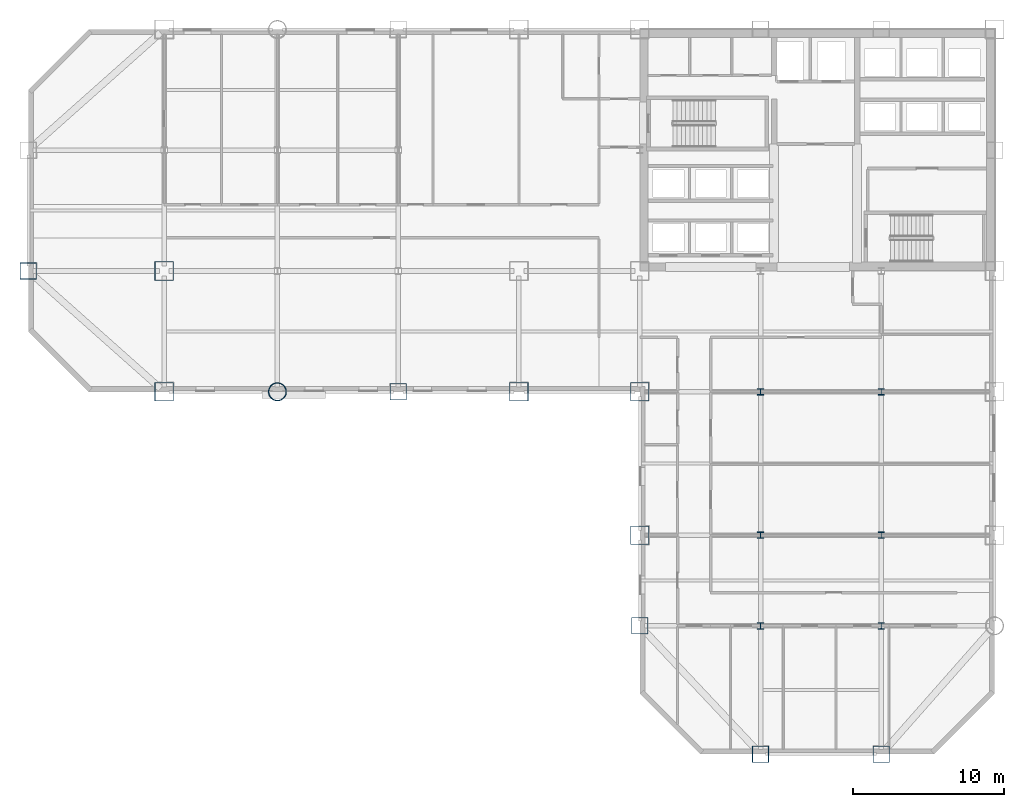
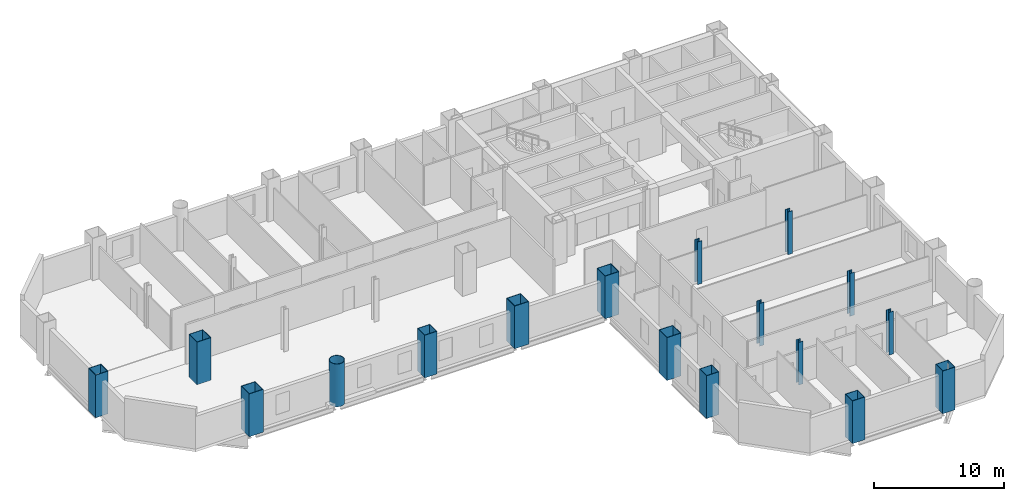
# One storey, part 1 of 9: 17 columns.
"""IFC4 building model written with IfcOpenShell, lengths in metres."""

import ifcopenshell
import ifcopenshell.guid

model = None  # the IFC model being written
_history = None  # IfcOwnerHistory: only IFC2X3 demands one
_inside = {}  # id of a spatial element -> (the spatial element, [elements in it])
_under = {}  # id of a project, library or spatial element -> (it, [spatial elements below it])
_declared = {}  # id of a project -> (the project, [libraries it declares])
_typed = {}  # id of a type object -> (the type object, [elements of that type])
_made_of = {}  # id of a material, layer set ... -> (it, [elements and type objects made of it])


def new_model(schema):
    """Start an empty IFC model of exactly this schema.

    Asked for "IFC4X3", IfcOpenShell would pick the latest addendum, in which some entities
    have other attributes; the version numbers below select the first issue.
    IFC2X3 requires an IfcOwnerHistory on every rooted entity: one is made here for all.
    """
    global model, _history
    if schema == "IFC4X3":
        model = ifcopenshell.file(schema_version=(4, 3, 0, 0))
    else:
        model = ifcopenshell.file(schema=schema)
    _inside.clear()
    _under.clear()
    _declared.clear()
    _typed.clear()
    _made_of.clear()
    _history = None
    if model.schema == "IFC2X3":
        org = make("IfcOrganization", Name="unknown")
        user = make(
            "IfcPersonAndOrganization",
            ThePerson=make("IfcPerson", FamilyName="unknown"),
            TheOrganization=org,
        )
        app = make(
            "IfcApplication",
            ApplicationDeveloper=org,
            Version="unknown",
            ApplicationFullName="unknown",
            ApplicationIdentifier="unknown",
        )
        _history = make(
            "IfcOwnerHistory",
            OwningUser=user,
            OwningApplication=app,
            ChangeAction="ADDED",
            CreationDate=0,
        )
    return model


def make(cls, **values):
    """One entity of the class cls with the attributes given. An attribute that is None is left unset."""
    return model.create_entity(
        cls, **{name: value for name, value in values.items() if value is not None}
    )


def rooted(cls, **values):
    """An entity with a GlobalId (a new one), such as an element, a storey or a relation."""
    return make(cls, GlobalId=ifcopenshell.guid.new(), OwnerHistory=_history, **values)


def si_unit(unit_type, name, prefix=None):
    """IfcSIUnit, for example si_unit("LENGTHUNIT", "METRE", prefix="MILLI")."""
    return make("IfcSIUnit", UnitType=unit_type, Prefix=prefix, Name=name)


def assignment(units):
    """IfcUnitAssignment: the units of a project."""
    return None if units is None else make("IfcUnitAssignment", Units=units)


def point(xyz):
    """IfcCartesianPoint."""
    return None if xyz is None else make("IfcCartesianPoint", Coordinates=xyz)


def direction(xyz):
    """IfcDirection."""
    return None if xyz is None else make("IfcDirection", DirectionRatios=xyz)


def frame(location, z_axis=None, x_axis=None):
    """IfcAxis2Placement3D, a coordinate frame: its origin and axes. An axis left out is left unset."""
    return make(
        "IfcAxis2Placement3D",
        Location=point(location),
        Axis=direction(z_axis),
        RefDirection=direction(x_axis),
    )


def frame_2d(location, x_axis=None):
    """IfcAxis2Placement2D, a coordinate frame in the plane: its origin and x axis."""
    return make(
        "IfcAxis2Placement2D", Location=point(location), RefDirection=direction(x_axis)
    )


def origin():
    """The frame at (0, 0, 0) with its axes left unset."""
    return frame((0.0, 0.0, 0.0))


def origin_2d():
    """The frame at (0, 0) in the plane with its x axis left unset."""
    return frame_2d((0.0, 0.0))


def place(relative_to, where):
    """IfcLocalPlacement: puts the frame where relative to a parent placement (None: the world)."""
    return make(
        "IfcLocalPlacement", PlacementRelTo=relative_to, RelativePlacement=where
    )


def context(
    kind, dimensions, precision=None, world=None, true_north=None, identifier=None
):
    """IfcGeometricRepresentationContext, for example the 3D "Model" context."""
    return make(
        "IfcGeometricRepresentationContext",
        ContextIdentifier=identifier,
        ContextType=kind,
        CoordinateSpaceDimension=dimensions,
        Precision=precision,
        WorldCoordinateSystem=world,
        TrueNorth=true_north,
    )


def subcontext(parent, identifier, kind, view, scale=None):
    """IfcGeometricRepresentationSubContext, for example "Body" below "Model"."""
    return make(
        "IfcGeometricRepresentationSubContext",
        ContextIdentifier=identifier,
        ContextType=kind,
        ParentContext=parent,
        TargetScale=scale,
        TargetView=view,
    )


def project(units=None, contexts=None):
    """IfcProject with its units and contexts."""
    return rooted(
        "IfcProject",
        Name="project",
        RepresentationContexts=contexts,
        UnitsInContext=assignment(units),
    )


def spatial(cls, under=None, at=None, **own):
    """A site, building, storey or space (cls), placed at a placement, below another one or the project."""
    s = rooted(cls, ObjectPlacement=at, **own)
    if under is not None:
        _under.setdefault(under.id(), (under, []))[1].append(s)
    return s


def profile(cls, at=None, kind="AREA", **sizes):
    """A parametric profile (cls). Its sizes go by their IFC names, for example OverallWidth=200.0."""
    return make(cls, ProfileType=kind, Position=at, **sizes)


def hollow_rectangle(**sizes):
    """IfcRectangleHollowProfileDef."""
    return profile("IfcRectangleHollowProfileDef", **sizes)


def hollow_circle(**sizes):
    """IfcCircleHollowProfileDef."""
    return profile("IfcCircleHollowProfileDef", **sizes)


def i_section(**sizes):
    """IfcIShapeProfileDef."""
    return profile("IfcIShapeProfileDef", **sizes)


def extrude(swept, where, along, depth):
    """IfcExtrudedAreaSolid: the profile swept, set in the frame where, extruded along a direction by depth."""
    return make(
        "IfcExtrudedAreaSolid",
        SweptArea=swept,
        Position=where,
        ExtrudedDirection=direction(along),
        Depth=depth,
    )


def shape(context_of_items, identifier, shape_type, items):
    """IfcShapeRepresentation: the items that make up one representation, for example the "Body"."""
    return make(
        "IfcShapeRepresentation",
        ContextOfItems=context_of_items,
        RepresentationIdentifier=identifier,
        RepresentationType=shape_type,
        Items=items,
    )


def material(Name=None, Category=None):
    """IfcMaterial."""
    return make("IfcMaterial", Name=Name, Category=Category)


def material_profile(
    of_material, cross_section, Name=None, Category=None, Priority=None
):
    """IfcMaterialProfile: a cross section and its material."""
    return make(
        "IfcMaterialProfile",
        Name=Name,
        Material=of_material,
        Profile=cross_section,
        Priority=Priority,
        Category=Category,
    )


def profile_set(profiles, Name=None, composite=None):
    """IfcMaterialProfileSet."""
    return make(
        "IfcMaterialProfileSet",
        Name=Name,
        MaterialProfiles=profiles,
        CompositeProfile=composite,
    )


def made_of(thing, what):
    """Note that an element or type object is made of a material, layer set ...; save() writes the relation."""
    if what is not None:
        _made_of.setdefault(what.id(), (what, []))[1].append(thing)
    return thing


def type_object(cls, material=None, **own):
    """A type object (cls), such as IfcWallType, which elements share."""
    return made_of(rooted(cls, **own), material)


def element(
    cls,
    number,
    at=None,
    inside=None,
    cuts=None,
    type_object=None,
    material=None,
    context=None,
    identifier="Body",
    shape_type=None,
    held_by="IfcProductDefinitionShape",
    body=None,
    shapes=None,
    **own,
):
    """One element of the class cls, such as IfcWall. Its Tag is "e" and its number.

    at: its placement. inside: the storey or other place that contains it. cuts: it is an
    opening in that element (IfcRelVoidsElement). A single representation is given by context,
    identifier, shape_type and body (its items); several are given by shapes. held_by: the class
    of the entity that holds the representations. save() writes the other relations.
    """
    e = rooted(cls, Tag="e%d" % number, ObjectPlacement=at, **own)
    if body is not None:
        shapes = [shape(context, identifier, shape_type, body)]
    if shapes is not None:
        e.Representation = make(held_by, Representations=shapes)
    if inside is not None:
        _inside.setdefault(inside.id(), (inside, []))[1].append(e)
    if cuts is not None:
        rooted(
            "IfcRelVoidsElement", RelatingBuildingElement=cuts, RelatedOpeningElement=e
        )
    if type_object is not None:
        _typed.setdefault(type_object.id(), (type_object, []))[1].append(e)
    return made_of(e, material)


def aggregate(whole, parts):
    """IfcRelAggregates: a whole, such as a stair, and the parts it consists of."""
    return rooted("IfcRelAggregates", RelatingObject=whole, RelatedObjects=parts)


def save(model, path):
    """Write the relations noted so far, then the file.

    IfcRelAggregates (storeys below a building ...), IfcRelContainedInSpatialStructure (elements
    in a storey), IfcRelDefinesByType, IfcRelAssociatesMaterial and IfcRelDeclares: one each for
    every whole, place, type object, material and project.
    """
    for whole, parts in _under.values():
        aggregate(whole, parts)
    for where, things in _inside.values():
        rooted(
            "IfcRelContainedInSpatialStructure",
            RelatedElements=things,
            RelatingStructure=where,
        )
    for kind, things in _typed.values():
        rooted("IfcRelDefinesByType", RelatedObjects=things, RelatingType=kind)
    for what, things in _made_of.values():
        rooted("IfcRelAssociatesMaterial", RelatedObjects=things, RelatingMaterial=what)
    for by, libraries in _declared.values():
        rooted("IfcRelDeclares", RelatingContext=by, RelatedDefinitions=libraries)
    model.write(path)


model = new_model("IFC4")

# Units and contexts
model_context = context("Model", 3, precision=1e-05, world=origin(), true_north=direction((0.0, 1.0)))
body_context = subcontext(model_context, "Body", "Model", "MODEL_VIEW")
ifc_project = project(units=[si_unit("LENGTHUNIT", "METRE"), si_unit("AREAUNIT", "SQUARE_METRE"), si_unit("VOLUMEUNIT", "CUBIC_METRE"), si_unit("PLANEANGLEUNIT", "RADIAN"), si_unit("MASSUNIT", "GRAM", prefix="KILO")], contexts=[model_context])

# Site, building, storey
site_placement = place(None, origin())
site = spatial("IfcSite", under=ifc_project, at=site_placement, CompositionType="ELEMENT")
building_placement = place(site_placement, origin())
building = spatial("IfcBuilding", under=site, at=building_placement, Name="Qianrong Seaharbour Tower", CompositionType="ELEMENT")
storey_placement = place(building_placement, frame((0.0, 0.0, 40.199951171875)))
storey = spatial("IfcBuildingStorey", under=building, at=storey_placement, Name="L09", CompositionType="ELEMENT", Elevation=40.199951171875)

# Columns
ifc_material = material(Name="Structural steel SN490B", Category="steel")
ifc_material_profile_1 = material_profile(ifc_material, hollow_rectangle(XDim=1.25, YDim=1.25, WallThickness=0.044921875, at=origin_2d()), Name="BOX1250x1250x45")
ifc_profile_set_1 = profile_set([ifc_material_profile_1], Name="Structural steel SN490B")
column_type_1 = type_object("IfcColumnType", Name="COL-CFT-1250", PredefinedType="COLUMN", material=ifc_profile_set_1)
for number, where, z_axis, x_axis, name in (
    (1, (9.0, 28.0, 0.0), (0.0, 0.0, 1.0), (1.0, 0.0, 0.0), "L09 Column MC-2 at G2/GE"),
    (2, (9.0, 36.0, 0.0), (0.0, 0.0, 1.0), (1.0, 0.0, 0.0), "L09 Column MC-2 at G2/GF"),
    (3, (32.5, 28.0, 0.0), (0.0, 0.0, 1.0), (1.0, 0.0, 0.0), "L09 Column MC-2 at G5/GE"),
    (4, (40.5, 18.5, 0.0), (0.0, 0.0, 1.0), (1.0, 0.0, 0.0), "L09 Column MC-2 at G6/GD"),
    (5, (40.5, 28.0, 0.0), (0.0, 0.0, 1.0), (1.0, 0.0, 0.0), "L09 Column MC-2 at G6/GE"),
):
    element("IfcColumn", number, at=place(storey_placement, frame(where, z_axis=z_axis, x_axis=x_axis)), inside=storey, type_object=column_type_1, Name=name, PredefinedType="COLUMN", context=body_context, shape_type="SweptSolid", body=[
        extrude(hollow_rectangle(XDim=1.25, YDim=1.25, WallThickness=0.044921875, at=origin_2d()), origin(), (0.0, 0.0, 1.0), 4.0),
    ])
ifc_material_profile_2 = material_profile(ifc_material, hollow_circle(Radius=0.60009765625, WallThickness=0.0400390625, at=origin_2d()), Name="CHS1200x40")
ifc_profile_set_2 = profile_set([ifc_material_profile_2], Name="Structural steel SN490B")
column_type_2 = type_object("IfcColumnType", Name="COL-CHS-1200", PredefinedType="COLUMN", material=ifc_profile_set_2)
column_placement = place(storey_placement, frame((16.5, 28.0, 0.0), z_axis=(0.0, 0.0, 1.0), x_axis=(1.0, 0.0, 0.0)))
element("IfcColumn", 6, at=column_placement, inside=storey, type_object=column_type_2, Name="L09 Column CC-1 at G3/GE", PredefinedType="COLUMN", context=body_context, shape_type="SweptSolid", body=[
    extrude(hollow_circle(Radius=0.60009765625, WallThickness=0.0400390625, at=origin_2d()), origin(), (0.0, 0.0, 1.0), 4.0),
])
ifc_material_profile_3 = material_profile(ifc_material, i_section(OverallWidth=0.406982421875, OverallDepth=0.427978515625, WebThickness=0.02001953125, FlangeThickness=0.034912109375, FilletRadius=0.02197265625, at=origin_2d()), Name="H428x407x20x35")
ifc_profile_set_3 = profile_set([ifc_material_profile_3], Name="Structural steel SN490B")
column_type_3 = type_object("IfcColumnType", Name="COL-INT-H428", PredefinedType="COLUMN", material=ifc_profile_set_3)
for number, where, z_axis, x_axis, name in (
    (7, (48.5, 12.5, 0.0), (0.0, 0.0, 1.0), (1.0, 0.0, 0.0), "L09 Column IC-2 at G7/GC"),
    (8, (48.5, 18.5, 0.0), (0.0, 0.0, 1.0), (1.0, 0.0, 0.0), "L09 Column IC-2 at G7/GD"),
    (9, (48.5, 28.0, 0.0), (0.0, 0.0, 1.0), (1.0, 0.0, 0.0), "L09 Column IC-2 at G7/GE"),
    (10, (56.5, 12.5, 0.0), (0.0, 0.0, 1.0), (1.0, 0.0, 0.0), "L09 Column IC-2 at G8/GC"),
    (11, (56.5, 18.5, 0.0), (0.0, 0.0, 1.0), (1.0, 0.0, 0.0), "L09 Column IC-2 at G8/GD"),
    (12, (56.5, 28.0, 0.0), (0.0, 0.0, 1.0), (1.0, 0.0, 0.0), "L09 Column IC-2 at G8/GE"),
):
    element("IfcColumn", number, at=place(storey_placement, frame(where, z_axis=z_axis, x_axis=x_axis)), inside=storey, type_object=column_type_3, Name=name, PredefinedType="COLUMN", context=body_context, shape_type="SweptSolid", body=[
        extrude(i_section(OverallWidth=0.406982421875, OverallDepth=0.427978515625, WebThickness=0.02001953125, FlangeThickness=0.034912109375, FilletRadius=0.02197265625, at=origin_2d()), origin(), (0.0, 0.0, 1.0), 4.0),
    ])
ifc_material_profile_4 = material_profile(ifc_material, hollow_rectangle(XDim=1.10009765625, YDim=1.10009765625, WallThickness=0.0400390625, at=origin_2d()), Name="BOX1100x1100x40")
ifc_profile_set_4 = profile_set([ifc_material_profile_4], Name="Structural steel SN490B")
column_type_4 = type_object("IfcColumnType", Name="COL-PER-1100", PredefinedType="COLUMN", material=ifc_profile_set_4)
for number, where, z_axis, x_axis, name in (
    (13, (0.0, 36.0, 0.0), (0.0, 0.0, 1.0), (1.0, 0.0, 0.0), "L09 Column PC-1 at G1/GF"),
    (14, (24.5, 28.0, 0.0), (0.0, 0.0, 1.0), (1.0, 0.0, 0.0), "L09 Column PC-1 at G4/GE"),
    (15, (40.5, 12.5, 0.0), (0.0, 0.0, 1.0), (1.0, 0.0, 0.0), "L09 Column PC-1 at G6/GC"),
    (16, (48.5, 4.0, 0.0), (0.0, 0.0, 1.0), (1.0, 0.0, 0.0), "L09 Column PC-1 at G7/GB"),
    (17, (56.5, 4.0, 0.0), (0.0, 0.0, 1.0), (1.0, 0.0, 0.0), "L09 Column PC-1 at G8/GB"),
):
    element("IfcColumn", number, at=place(storey_placement, frame(where, z_axis=z_axis, x_axis=x_axis)), inside=storey, type_object=column_type_4, Name=name, PredefinedType="COLUMN", context=body_context, shape_type="SweptSolid", body=[
        extrude(hollow_rectangle(XDim=1.10009765625, YDim=1.10009765625, WallThickness=0.0400390625, at=origin_2d()), origin(), (0.0, 0.0, 1.0), 4.0),
    ])

save(model, "model.ifc")
